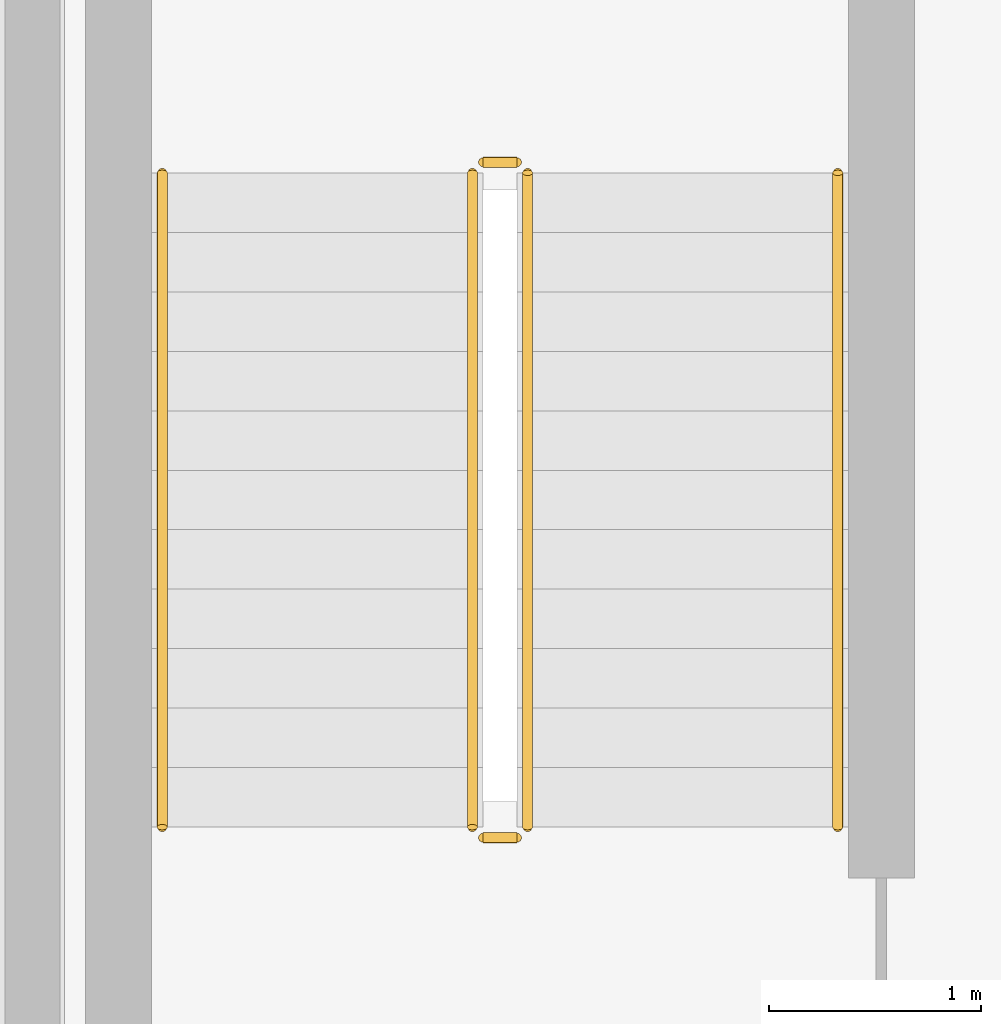
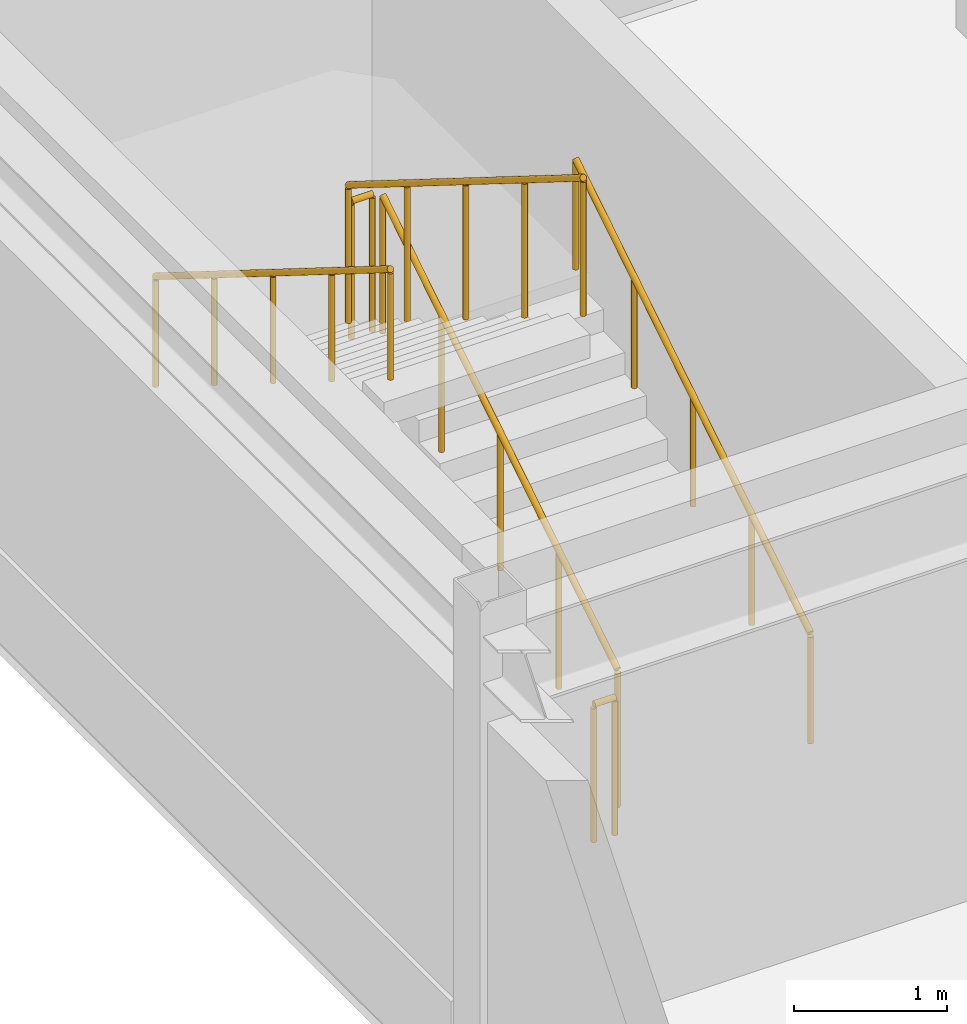
# One storey, part 37 of 40: 6 railings.
"""IFC4 building model written with IfcOpenShell, lengths in metres."""

from ifc_helpers import new_model, si_unit, direction, frame, origin, origin_2d, place, context, subcontext, project, spatial, circle, extrude, material, type_object, element, save


model = new_model("IFC4")

# Units and contexts
model_context = context("Model", 3, precision=1e-05, world=origin(), true_north=direction((0.0, 1.0)))
body_context = subcontext(model_context, "Body", "Model", "MODEL_VIEW")
ifc_project = project(units=[si_unit("LENGTHUNIT", "METRE"), si_unit("AREAUNIT", "SQUARE_METRE"), si_unit("VOLUMEUNIT", "CUBIC_METRE"), si_unit("PLANEANGLEUNIT", "RADIAN"), si_unit("MASSUNIT", "GRAM", prefix="KILO")], contexts=[model_context])

# Site, building, storey
site_placement = place(None, origin())
site = spatial("IfcSite", under=ifc_project, at=site_placement, CompositionType="ELEMENT")
building_placement = place(site_placement, origin())
building = spatial("IfcBuilding", under=site, at=building_placement, Name="Suzunagisa Mobility Hub", CompositionType="ELEMENT")
storey_placement = place(building_placement, frame((0.0, 0.0, 21.89990234375)))
storey = spatial("IfcBuildingStorey", under=building, at=storey_placement, Name="L05", CompositionType="ELEMENT", Elevation=21.89990234375)

# Railings
ifc_material = material(Name="Stainless Steel SUS304", Category="metal")
railing_type_1 = type_object("IfcRailingType", Name="Interior Well Guardrail IGR-01", PredefinedType="GUARDRAIL", material=ifc_material)
railing_1_placement = place(storey_placement, frame((146.330078125, 55.360107421875, 0.175048828125)))
element("IfcRailing", 1, at=railing_1_placement, inside=storey, type_object=railing_type_1, Name="L05 ST-11 stair guard 1", PredefinedType="GUARDRAIL", context=body_context, shape_type="SweptSolid", body=[
    extrude(circle(Radius=0.02392578125, at=origin_2d()), frame((0.0, 0.0, 1.09619140625), z_axis=(0.0, 0.847979421464, 0.530029150871), x_axis=(-1.0, 0.0, 0.0)), (0.0, 0.0, 1.0), 3.632080078125),
    extrude(circle(Radius=0.02099609375, at=origin_2d()), origin(), (0.0, 0.0, 1.0), 1.072021484375),
    extrude(circle(Radius=0.02099609375, at=origin_2d()), frame((0.0, 0.77001953125, 0.481201171875)), (0.0, 0.0, 1.0), 1.072021484375),
    extrude(circle(Radius=0.02099609375, at=origin_2d()), frame((0.0, 1.5400390625, 0.96240234375)), (0.0, 0.0, 1.0), 1.072021484375),
    extrude(circle(Radius=0.02099609375, at=origin_2d()), frame((0.0, 2.309814453125, 1.44384765625)), (0.0, 0.0, 1.0), 1.072021484375),
    extrude(circle(Radius=0.02099609375, at=origin_2d()), frame((0.0, 3.079833984375, 1.925048828125)), (0.0, 0.0, 1.0), 1.072021484375),
])
railing_2_placement = place(storey_placement, frame((146.280029296875, 58.489990234375, 2.10009765625)))
element("IfcRailing", 2, at=railing_2_placement, inside=storey, type_object=railing_type_1, Name="L05 ST-11 stair guard 2", PredefinedType="GUARDRAIL", context=body_context, shape_type="SweptSolid", body=[
    extrude(circle(Radius=0.02392578125, at=origin_2d()), frame((0.0, 0.0, 1.09619140625), z_axis=(-1.0, 0.0, 0.0), x_axis=(0.0, -1.0, 0.0)), (0.0, 0.0, 1.0), 0.159912109375),
    extrude(circle(Radius=0.02099609375, at=origin_2d()), origin(), (0.0, 0.0, 1.0), 1.072021484375),
    extrude(circle(Radius=0.02099609375, at=origin_2d()), frame((-0.159912109375, 0.0, 0.0)), (0.0, 0.0, 1.0), 1.072021484375),
])
railing_3_placement = place(storey_placement, frame((146.070068359375, 58.43994140625, 2.275146484375)))
element("IfcRailing", 3, at=railing_3_placement, inside=storey, type_object=railing_type_1, Name="L05 ST-11 stair guard 3", PredefinedType="GUARDRAIL", context=body_context, shape_type="SweptSolid", body=[
    extrude(circle(Radius=0.02392578125, at=origin_2d()), frame((0.0, 0.0, 1.09619140625), z_axis=(0.0, -0.847979421464, 0.530029150871), x_axis=(1.0, 0.0, 0.0)), (0.0, 0.0, 1.0), 3.632080078125),
    extrude(circle(Radius=0.02099609375, at=origin_2d()), origin(), (0.0, 0.0, 1.0), 1.072021484375),
    extrude(circle(Radius=0.02099609375, at=origin_2d()), frame((0.0, -0.77001953125, 0.481201171875)), (0.0, 0.0, 1.0), 1.072021484375),
    extrude(circle(Radius=0.02099609375, at=origin_2d()), frame((0.0, -1.5400390625, 0.96240234375)), (0.0, 0.0, 1.0), 1.072021484375),
    extrude(circle(Radius=0.02099609375, at=origin_2d()), frame((0.0, -2.309814453125, 1.44384765625)), (0.0, 0.0, 1.0), 1.072021484375),
    extrude(circle(Radius=0.02099609375, at=origin_2d()), frame((0.0, -3.079833984375, 1.925048828125)), (0.0, 0.0, 1.0), 1.072021484375),
])
railing_4_placement = place(storey_placement, frame((146.280029296875, 55.31005859375, 0.0)))
element("IfcRailing", 4, at=railing_4_placement, inside=storey, type_object=railing_type_1, Name="L05 ST-11 stair guard 4", PredefinedType="GUARDRAIL", context=body_context, shape_type="SweptSolid", body=[
    extrude(circle(Radius=0.02392578125, at=origin_2d()), frame((0.0, 0.0, 1.09619140625), z_axis=(-1.0, 0.0, 0.0), x_axis=(0.0, -1.0, 0.0)), (0.0, 0.0, 1.0), 0.159912109375),
    extrude(circle(Radius=0.02099609375, at=origin_2d()), origin(), (0.0, 0.0, 1.0), 1.072021484375),
    extrude(circle(Radius=0.02099609375, at=origin_2d()), frame((-0.159912109375, 0.0, 0.0)), (0.0, 0.0, 1.0), 1.072021484375),
])
railing_type_2 = type_object("IfcRailingType", Name="Tubular Stainless Stair Handrail IHR-01", PredefinedType="HANDRAIL", material=ifc_material)
railing_5_placement = place(storey_placement, frame((147.7900390625, 55.360107421875, 0.175048828125)))
element("IfcRailing", 5, at=railing_5_placement, inside=storey, type_object=railing_type_2, Name="L05 ST-11 stair handrail 1", PredefinedType="HANDRAIL", context=body_context, shape_type="SweptSolid", body=[
    extrude(circle(Radius=0.02392578125, at=origin_2d()), frame((0.0, 0.0, 0.8759765625), z_axis=(0.0, 0.847979421464, 0.530029150871), x_axis=(-1.0, 0.0, 0.0)), (0.0, 0.0, 1.0), 3.632080078125),
    extrude(circle(Radius=0.02099609375, at=origin_2d()), origin(), (0.0, 0.0, 1.0), 0.851806640625),
    extrude(circle(Radius=0.02099609375, at=origin_2d()), frame((0.0, 0.77001953125, 0.481201171875)), (0.0, 0.0, 1.0), 0.851806640625),
    extrude(circle(Radius=0.02099609375, at=origin_2d()), frame((0.0, 1.5400390625, 0.96240234375)), (0.0, 0.0, 1.0), 0.851806640625),
    extrude(circle(Radius=0.02099609375, at=origin_2d()), frame((0.0, 2.309814453125, 1.44384765625)), (0.0, 0.0, 1.0), 0.851806640625),
    extrude(circle(Radius=0.02099609375, at=origin_2d()), frame((0.0, 3.079833984375, 1.925048828125)), (0.0, 0.0, 1.0), 0.851806640625),
])
railing_6_placement = place(storey_placement, frame((144.610107421875, 58.43994140625, 2.275146484375)))
element("IfcRailing", 6, at=railing_6_placement, inside=storey, type_object=railing_type_2, Name="L05 ST-11 stair handrail 2", PredefinedType="HANDRAIL", context=body_context, shape_type="SweptSolid", body=[
    extrude(circle(Radius=0.02392578125, at=origin_2d()), frame((0.0, 0.0, 0.8759765625), z_axis=(0.0, -0.847979421464, 0.530029150871), x_axis=(1.0, 0.0, 0.0)), (0.0, 0.0, 1.0), 3.632080078125),
    extrude(circle(Radius=0.02099609375, at=origin_2d()), origin(), (0.0, 0.0, 1.0), 0.851806640625),
    extrude(circle(Radius=0.02099609375, at=origin_2d()), frame((0.0, -0.77001953125, 0.481201171875)), (0.0, 0.0, 1.0), 0.851806640625),
    extrude(circle(Radius=0.02099609375, at=origin_2d()), frame((0.0, -1.5400390625, 0.96240234375)), (0.0, 0.0, 1.0), 0.851806640625),
    extrude(circle(Radius=0.02099609375, at=origin_2d()), frame((0.0, -2.309814453125, 1.44384765625)), (0.0, 0.0, 1.0), 0.851806640625),
    extrude(circle(Radius=0.02099609375, at=origin_2d()), frame((0.0, -3.079833984375, 1.925048828125)), (0.0, 0.0, 1.0), 0.851806640625),
])

save(model, "model.ifc")
